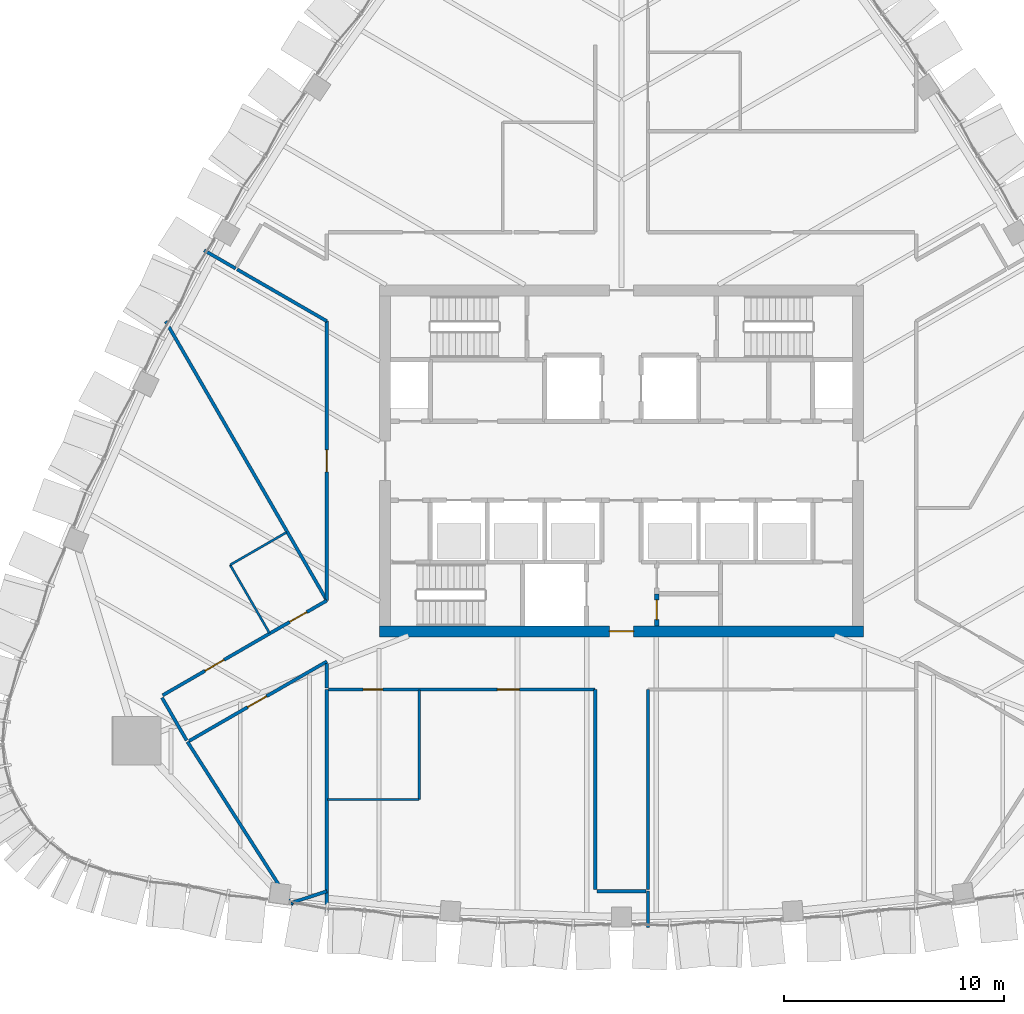
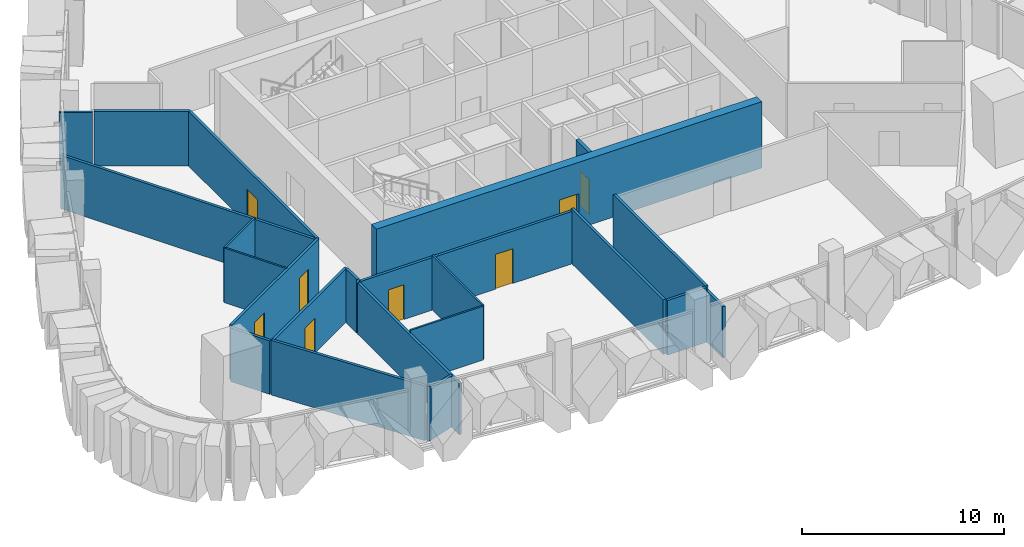
# One storey, part 12 of 20: 23 walls, 8 doors, 8 openings.
"""IFC4 building model written with IfcOpenShell, lengths in metres."""

from ifc_helpers import new_model, si_unit, direction, frame, frame_2d, origin, place, context, subcontext, project, spatial, rectangle, extrude, material, layer, layer_set, type_object, element, fill, save


model = new_model("IFC4")

# Units and contexts
model_context = context("Model", 3, precision=1e-05, world=origin(), true_north=direction((0.0, 1.0)))
body_context = subcontext(model_context, "Body", "Model", "MODEL_VIEW")
ifc_project = project(units=[si_unit("LENGTHUNIT", "METRE"), si_unit("AREAUNIT", "SQUARE_METRE"), si_unit("VOLUMEUNIT", "CUBIC_METRE"), si_unit("PLANEANGLEUNIT", "RADIAN"), si_unit("MASSUNIT", "GRAM", prefix="KILO")], contexts=[model_context])

# Site, building, storey
site_placement = place(None, origin())
site = spatial("IfcSite", under=ifc_project, at=site_placement, CompositionType="ELEMENT")
building_placement = place(site_placement, origin())
building = spatial("IfcBuilding", under=site, at=building_placement, Name="Sierra Prisma Convention Tower", CompositionType="ELEMENT")
storey_placement = place(building_placement, frame((0.0, 0.0, 239.0)))
storey = spatial("IfcBuildingStorey", under=building, at=storey_placement, Name="L53", CompositionType="ELEMENT", Elevation=239.0)

# Walls
ifc_material_1 = material(Name="Gypsum board partition", Category="gypsum")
ifc_layer_1 = layer(ifc_material_1, 0.10009765625)
ifc_layer_set_1 = layer_set([ifc_layer_1], Name="Bathroom partition 100")
wall_type_1 = type_object("IfcWallType", Name="Bathroom partition 100", PredefinedType="PARTITIONING", material=ifc_layer_set_1)
wall_1_placement = place(storey_placement, frame((-16.01318359375, -7.824951171875, 0.0), z_axis=(0.0, 0.0, 1.0), x_axis=(-0.499971082179, 0.866042098853, 0.0)))
element("IfcWall", 1, at=wall_1_placement, inside=storey, type_object=wall_type_1, Name="Partition L53 bath 1", PredefinedType="PARTITIONING", context=body_context, shape_type="SweptSolid", body=[
    extrude(rectangle(XDim=3.570068359375, YDim=0.10009765625, at=frame_2d((1.78515625, 0.0))), origin(), (0.0, 0.0, 1.0), 3.300048828125),
])
wall_2_placement = place(storey_placement, frame((-17.798095703125, -4.733154296875, 0.0), z_axis=(0.0, 0.0, 1.0), x_axis=(0.866039111053, 0.499976257563, 0.0)))
element("IfcWall", 2, at=wall_2_placement, inside=storey, type_object=wall_type_1, Name="Partition L53 bath 2", PredefinedType="PARTITIONING", context=body_context, shape_type="SweptSolid", body=[
    extrude(rectangle(XDim=2.969970703125, YDim=0.10009765625, at=frame_2d((1.48486328125, 0.0))), origin(), (0.0, 0.0, 1.0), 3.300048828125),
])
wall_3_placement = place(storey_placement, frame((-9.199951171875, -10.429931640625, 0.0), z_axis=(0.0, 0.0, 1.0), x_axis=(0.0, -1.0, 0.0)))
element("IfcWall", 3, at=wall_3_placement, inside=storey, type_object=wall_type_1, Name="Partition L53 bath 3", PredefinedType="PARTITIONING", context=body_context, shape_type="SweptSolid", body=[
    extrude(rectangle(XDim=4.969970703125, YDim=0.10009765625, at=frame_2d((2.48486328125, 0.0))), origin(), (0.0, 0.0, 1.0), 3.300048828125),
])
wall_4_placement = place(storey_placement, frame((-9.199951171875, -15.39990234375, 0.0), z_axis=(0.0, 0.0, 1.0), x_axis=(-1.0, 0.0, 0.0)))
element("IfcWall", 4, at=wall_4_placement, inside=storey, type_object=wall_type_1, Name="Partition L53 bath 4", PredefinedType="PARTITIONING", context=body_context, shape_type="SweptSolid", body=[
    extrude(rectangle(XDim=4.170166015625, YDim=0.10009765625, at=frame_2d((2.0849609375, 0.0))), origin(), (0.0, 0.0, 1.0), 3.242919921875),
])

# Wall, opening, door
ifc_material_2 = material(Name="Concrete C30/37", Category="concrete")
ifc_layer_2 = layer(ifc_material_2, 0.199951171875)
ifc_layer_set_2 = layer_set([ifc_layer_2], Name="Core wall RC 200 C30/37")
wall_type_2 = type_object("IfcWallType", Name="Core wall RC 200 C30/37", PredefinedType="SOLIDWALL", material=ifc_layer_set_2)
wall_5_placement = place(storey_placement, frame((1.60009765625, -6.050048828125, 0.0), z_axis=(0.0, 0.0, 1.0), x_axis=(0.0, -1.0, 0.0)))
wall_5 = element("IfcWall", 5, at=wall_5_placement, inside=storey, type_object=wall_type_2, Name="Core wall L53 38", PredefinedType="SOLIDWALL", context=body_context, shape_type="SweptSolid", body=[
    extrude(rectangle(XDim=1.449951171875, YDim=0.199951171875, at=frame_2d((0.72509765625, 0.0))), origin(), (0.0, 0.0, 1.0), 3.85009765625),
])
opening_1_placement = place(wall_5_placement, frame((0.27490234375, 0.0, 0.0)))
opening_1 = element("IfcOpeningElement", 6, at=opening_1_placement, cuts=wall_5, Name="Opening L53-D023", PredefinedType="OPENING", context=body_context, shape_type="SweptSolid", body=[
    extrude(rectangle(XDim=0.89990234375, YDim=2.10009765625, at=frame_2d((0.449951171875, 1.050048828125))), frame((0.0, 0.10009765625, 0.0), z_axis=(0.0, -1.0, 0.0), x_axis=(1.0, 0.0, 0.0)), (0.0, 0.0, 1.0), 0.199951171875),
])
ifc_material_3 = material(Name="Steel fire door leaf", Category="steel")
door_type_1 = type_object("IfcDoorType", Name="Door 900x2100 FD30S", OperationType="SINGLE_SWING_LEFT", PredefinedType="DOOR", material=ifc_material_3)
door_1_placement = place(opening_1_placement, origin())
door_1 = element("IfcDoor", 7, at=door_1_placement, inside=storey, type_object=door_type_1, Name="Door L53 39", OperationType="SINGLE_SWING_RIGHT", OverallHeight=2.10009765625, OverallWidth=0.89990234375, PredefinedType="DOOR", context=body_context, shape_type="SweptSolid", body=[
    extrude(rectangle(XDim=0.89990234375, YDim=2.10009765625, at=frame_2d((0.449951171875, 1.050048828125))), frame((0.0, 0.02490234375, 0.0), z_axis=(0.0, -1.0, 0.0), x_axis=(1.0, 0.0, 0.0)), (0.0, 0.0, 1.0), 0.050048828125),
])
fill(opening_1, door_1)

ifc_material_4 = material(Name="Concrete C50/60", Category="concrete")
ifc_layer_3 = layer(ifc_material_4, 0.5)
ifc_layer_set_3 = layer_set([ifc_layer_3], Name="Core wall RC 500 C50/60")
wall_type_3 = type_object("IfcWallType", Name="Core wall RC 500 C50/60", PredefinedType="SHEAR", material=ifc_layer_set_3)
wall_6_placement = place(storey_placement, frame((-11.0, -7.75, 0.0), z_axis=(0.0, 0.0, 1.0), x_axis=(1.0, 0.0, 0.0)))
wall_6 = element("IfcWall", 8, at=wall_6_placement, inside=storey, type_object=wall_type_3, Name="Core wall S L53", PredefinedType="SHEAR", context=body_context, shape_type="SweptSolid", body=[
    extrude(rectangle(XDim=22.0, YDim=0.5, at=frame_2d((11.0, 0.0))), origin(), (0.0, 0.0, 1.0), 4.0),
])
opening_2_placement = place(wall_6_placement, frame((10.449951171875, 0.0, 0.0)))
opening_2 = element("IfcOpeningElement", 9, at=opening_2_placement, cuts=wall_6, Name="Opening L53-D043", PredefinedType="OPENING", context=body_context, shape_type="SweptSolid", body=[
    extrude(rectangle(XDim=1.10009765625, YDim=2.10009765625, at=frame_2d((0.550048828125, 1.050048828125))), frame((0.0, 0.25, 0.0), z_axis=(0.0, -1.0, 0.0), x_axis=(1.0, 0.0, 0.0)), (0.0, 0.0, 1.0), 0.5),
])
ifc_material_5 = material(Name="Steel fire door leaf", Category="steel")
door_type_2 = type_object("IfcDoorType", Name="Door 1100x2100 FD30S", OperationType="SINGLE_SWING_LEFT", PredefinedType="DOOR", material=ifc_material_5)
door_2_placement = place(opening_2_placement, origin())
door_2 = element("IfcDoor", 10, at=door_2_placement, inside=storey, type_object=door_type_2, Name="Door L53 44", OperationType="SINGLE_SWING_LEFT", OverallHeight=2.10009765625, OverallWidth=1.10009765625, PredefinedType="DOOR", context=body_context, shape_type="SweptSolid", body=[
    extrude(rectangle(XDim=1.10009765625, YDim=2.10009765625, at=frame_2d((0.550048828125, 1.050048828125))), frame((0.0, 0.02490234375, 0.0), z_axis=(0.0, -1.0, 0.0), x_axis=(1.0, 0.0, 0.0)), (0.0, 0.0, 1.0), 0.050048828125),
])
fill(opening_2, door_2)

# Wall
ifc_material_6 = material(Name="Gypsum board partition", Category="gypsum")
ifc_layer_4 = layer(ifc_material_6, 0.14990234375)
ifc_layer_set_4 = layer_set([ifc_layer_4], Name="Corridor wall 150 gypsum EI 60")
wall_type_4 = type_object("IfcWallType", Name="Corridor wall 150 gypsum EI 60", PredefinedType="PARTITIONING", material=ifc_layer_set_4)
wall_7_placement = place(storey_placement, frame((-20.897216796875, -10.771728515625, 0.0), z_axis=(0.0, 0.0, 1.0), x_axis=(0.500030632641, -0.866007717299, 0.0)))
element("IfcWall", 11, at=wall_7_placement, inside=storey, type_object=wall_type_4, Name="Partition L53 corr 1", PredefinedType="PARTITIONING", context=body_context, shape_type="SweptSolid", body=[
    extrude(rectangle(XDim=2.239990234375, YDim=0.14990234375, at=frame_2d((1.1201171875, 0.0))), origin(), (0.0, 0.0, 1.0), 3.23291015625),
])

# Wall, openings, doors
wall_8_placement = place(storey_placement, frame((-13.39990234375, -6.350830078125, 0.0), z_axis=(0.0, 0.0, 1.0), x_axis=(-0.866032359495, -0.499987952162, 0.0)))
wall_8 = element("IfcWall", 12, at=wall_8_placement, inside=storey, type_object=wall_type_4, Name="Partition L53 corr 2", PredefinedType="PARTITIONING", context=body_context, shape_type="SweptSolid", body=[
    extrude(rectangle(XDim=8.623291015625, YDim=0.14990234375, at=frame_2d((4.3115234375, 0.0))), origin(), (0.0, 0.0, 1.0), 3.300048828125),
])
opening_3_placement = place(wall_8_placement, frame((1.050048828125, 0.0, 0.0)))
opening_3 = element("IfcOpeningElement", 13, at=opening_3_placement, cuts=wall_8, Name="Opening L53-D032", PredefinedType="OPENING", context=body_context, shape_type="SweptSolid", body=[
    extrude(rectangle(XDim=0.89990234375, YDim=2.10009765625, at=frame_2d((0.449951171875, 1.050048828125))), frame((0.0, 0.074951171875, 0.0), z_axis=(0.0, -1.0, 0.0), x_axis=(1.0, 0.0, 0.0)), (0.0, 0.0, 1.0), 0.14990234375),
])
opening_4_placement = place(wall_8_placement, frame((5.401611328125, 0.0, 0.0)))
opening_4 = element("IfcOpeningElement", 14, at=opening_4_placement, cuts=wall_8, Name="Opening L53-D033", PredefinedType="OPENING", context=body_context, shape_type="SweptSolid", body=[
    extrude(rectangle(XDim=1.0, YDim=2.10009765625, at=frame_2d((0.5, 1.050048828125))), frame((0.0, 0.074951171875, 0.0), z_axis=(0.0, -1.0, 0.0), x_axis=(1.0, 0.0, 0.0)), (0.0, 0.0, 1.0), 0.14990234375),
])
ifc_material_7 = material(Name="Steel fire door leaf", Category="steel")
door_type_3 = type_object("IfcDoorType", Name="Door 1000x2100 FD30S", OperationType="SINGLE_SWING_LEFT", PredefinedType="DOOR", material=ifc_material_7)
door_3_placement = place(opening_4_placement, origin())
door_3 = element("IfcDoor", 15, at=door_3_placement, inside=storey, type_object=door_type_3, Name="Door L53 9", OperationType="SINGLE_SWING_LEFT", OverallHeight=2.10009765625, OverallWidth=1.0, PredefinedType="DOOR", context=body_context, shape_type="SweptSolid", body=[
    extrude(rectangle(XDim=1.0, YDim=2.10009765625, at=frame_2d((0.5, 1.050048828125))), frame((0.0, 0.02490234375, 0.0), z_axis=(0.0, -1.0, 0.0), x_axis=(1.0, 0.0, 0.0)), (0.0, 0.0, 1.0), 0.050048828125),
])
fill(opening_4, door_3)
door_4_placement = place(opening_3_placement, origin())
door_4 = element("IfcDoor", 16, at=door_4_placement, inside=storey, type_object=door_type_1, Name="Door L53 8", OperationType="SINGLE_SWING_LEFT", OverallHeight=2.10009765625, OverallWidth=0.89990234375, PredefinedType="DOOR", context=body_context, shape_type="SweptSolid", body=[
    extrude(rectangle(XDim=0.89990234375, YDim=2.10009765625, at=frame_2d((0.449951171875, 1.050048828125))), frame((0.0, 0.02490234375, 0.0), z_axis=(0.0, -1.0, 0.0), x_axis=(1.0, 0.0, 0.0)), (0.0, 0.0, 1.0), 0.050048828125),
])
fill(opening_3, door_4)

# Wall, opening, door
wall_9_placement = place(storey_placement, frame((-19.66796875, -12.740966796875, 0.0), z_axis=(0.0, 0.0, 1.0), x_axis=(0.866023808947, 0.500002762329, 0.0)))
wall_9 = element("IfcWall", 17, at=wall_9_placement, inside=storey, type_object=wall_type_4, Name="Partition L53 corr 3", PredefinedType="PARTITIONING", context=body_context, shape_type="SweptSolid", body=[
    extrude(rectangle(XDim=7.23779296875, YDim=0.14990234375, at=frame_2d((3.618896484375, 0.0))), origin(), (0.0, 0.0, 1.0), 3.23291015625),
])
opening_5_placement = place(wall_9_placement, frame((3.078857421875, 0.0, 0.0)))
opening_5 = element("IfcOpeningElement", 18, at=opening_5_placement, cuts=wall_9, Name="Opening L53-D034", PredefinedType="OPENING", context=body_context, shape_type="SweptSolid", body=[
    extrude(rectangle(XDim=1.0, YDim=2.10009765625, at=frame_2d((0.5, 1.050048828125))), frame((0.0, 0.074951171875, 0.0), z_axis=(0.0, -1.0, 0.0), x_axis=(1.0, 0.0, 0.0)), (0.0, 0.0, 1.0), 0.14990234375),
])
door_5_placement = place(opening_5_placement, origin())
door_5 = element("IfcDoor", 19, at=door_5_placement, inside=storey, type_object=door_type_3, Name="Door L53 10", OperationType="SINGLE_SWING_LEFT", OverallHeight=2.10009765625, OverallWidth=1.0, PredefinedType="DOOR", context=body_context, shape_type="SweptSolid", body=[
    extrude(rectangle(XDim=1.0, YDim=2.10009765625, at=frame_2d((0.5, 1.050048828125))), frame((0.0, 0.02490234375, 0.0), z_axis=(0.0, -1.0, 0.0), x_axis=(1.0, 0.0, 0.0)), (0.0, 0.0, 1.0), 0.050048828125),
])
fill(opening_5, door_5)

# Walls
wall_10_placement = place(storey_placement, frame((-13.39990234375, -9.213623046875, 0.0), z_axis=(0.0, 0.0, 1.0), x_axis=(0.0, -1.0, 0.0)))
element("IfcWall", 20, at=wall_10_placement, inside=storey, type_object=wall_type_4, Name="Partition L53 corr 4", PredefinedType="PARTITIONING", context=body_context, shape_type="SweptSolid", body=[
    extrude(rectangle(XDim=1.1064453125, YDim=0.14990234375, at=frame_2d((0.55322265625, 0.0))), origin(), (0.0, 0.0, 1.0), 3.23291015625),
])
wall_11_placement = place(storey_placement, frame((-17.47998046875, 8.70654296875, 0.0), z_axis=(0.0, 0.0, 1.0), x_axis=(0.866018171646, -0.500012526222, 0.0)))
element("IfcWall", 21, at=wall_11_placement, inside=storey, type_object=wall_type_4, Name="Partition L53 corr 6", PredefinedType="PARTITIONING", context=body_context, shape_type="SweptSolid", body=[
    extrude(rectangle(XDim=4.71142578125, YDim=0.14990234375, at=frame_2d((2.355712890625, 0.0))), origin(), (0.0, 0.0, 1.0), 3.300048828125),
])

# Wall, opening, door
wall_12_placement = place(storey_placement, frame((-13.39990234375, 6.350830078125, 0.0), z_axis=(0.0, 0.0, 1.0), x_axis=(0.0, -1.0, 0.0)))
wall_12 = element("IfcWall", 22, at=wall_12_placement, inside=storey, type_object=wall_type_4, Name="Partition L53 corr 7", PredefinedType="PARTITIONING", context=body_context, shape_type="SweptSolid", body=[
    extrude(rectangle(XDim=12.70166015625, YDim=0.14990234375, at=frame_2d((6.350830078125, 0.0))), origin(), (0.0, 0.0, 1.0), 3.300048828125),
])
opening_6_placement = place(wall_12_placement, frame((5.850830078125, 0.0, 0.0)))
opening_6 = element("IfcOpeningElement", 23, at=opening_6_placement, cuts=wall_12, Name="Opening L53-D031", PredefinedType="OPENING", context=body_context, shape_type="SweptSolid", body=[
    extrude(rectangle(XDim=1.0, YDim=2.10009765625, at=frame_2d((0.5, 1.050048828125))), frame((0.0, 0.074951171875, 0.0), z_axis=(0.0, -1.0, 0.0), x_axis=(1.0, 0.0, 0.0)), (0.0, 0.0, 1.0), 0.14990234375),
])
door_6_placement = place(opening_6_placement, origin())
door_6 = element("IfcDoor", 24, at=door_6_placement, inside=storey, type_object=door_type_3, Name="Door L53 7", OperationType="SINGLE_SWING_LEFT", OverallHeight=2.10009765625, OverallWidth=1.0, PredefinedType="DOOR", context=body_context, shape_type="SweptSolid", body=[
    extrude(rectangle(XDim=1.0, YDim=2.10009765625, at=frame_2d((0.5, 1.050048828125))), frame((0.0, 0.02490234375, 0.0), z_axis=(0.0, -1.0, 0.0), x_axis=(1.0, 0.0, 0.0)), (0.0, 0.0, 1.0), 0.050048828125),
])
fill(opening_6, door_6)

# Wall, openings, doors
wall_13_placement = place(storey_placement, frame((-13.320068359375, -10.39990234375, 0.0), z_axis=(0.0, 0.0, 1.0), x_axis=(1.0, 0.0, 0.0)))
wall_13 = element("IfcWall", 25, at=wall_13_placement, inside=storey, type_object=wall_type_4, Name="Partition L53 corr 10", PredefinedType="PARTITIONING", context=body_context, shape_type="SweptSolid", body=[
    extrude(rectangle(XDim=12.1201171875, YDim=0.14990234375, at=frame_2d((6.06005859375, 0.0))), origin(), (0.0, 0.0, 1.0), 3.1669921875),
])
opening_7_placement = place(wall_13_placement, frame((1.570068359375, 0.0, 0.0)))
opening_7 = element("IfcOpeningElement", 26, at=opening_7_placement, cuts=wall_13, Name="Opening L53-D035", PredefinedType="OPENING", context=body_context, shape_type="SweptSolid", body=[
    extrude(rectangle(XDim=0.89990234375, YDim=2.10009765625, at=frame_2d((0.449951171875, 1.050048828125))), frame((0.0, 0.074951171875, 0.0), z_axis=(0.0, -1.0, 0.0), x_axis=(1.0, 0.0, 0.0)), (0.0, 0.0, 1.0), 0.14990234375),
])
opening_8_placement = place(wall_13_placement, frame((7.669921875, 0.0, 0.0)))
opening_8 = element("IfcOpeningElement", 27, at=opening_8_placement, cuts=wall_13, Name="Opening L53-D036", PredefinedType="OPENING", context=body_context, shape_type="SweptSolid", body=[
    extrude(rectangle(XDim=1.0, YDim=2.10009765625, at=frame_2d((0.5, 1.050048828125))), frame((0.0, 0.074951171875, 0.0), z_axis=(0.0, -1.0, 0.0), x_axis=(1.0, 0.0, 0.0)), (0.0, 0.0, 1.0), 0.14990234375),
])
door_7_placement = place(opening_8_placement, origin())
door_7 = element("IfcDoor", 28, at=door_7_placement, inside=storey, type_object=door_type_3, Name="Door L53 12", OperationType="SINGLE_SWING_LEFT", OverallHeight=2.10009765625, OverallWidth=1.0, PredefinedType="DOOR", context=body_context, shape_type="SweptSolid", body=[
    extrude(rectangle(XDim=1.0, YDim=2.10009765625, at=frame_2d((0.5, 1.050048828125))), frame((0.0, 0.02490234375, 0.0), z_axis=(0.0, -1.0, 0.0), x_axis=(1.0, 0.0, 0.0)), (0.0, 0.0, 1.0), 0.050048828125),
])
fill(opening_8, door_7)
door_8_placement = place(opening_7_placement, origin())
door_8 = element("IfcDoor", 29, at=door_8_placement, inside=storey, type_object=door_type_1, Name="Door L53 11", OperationType="SINGLE_SWING_RIGHT", OverallHeight=2.10009765625, OverallWidth=0.89990234375, PredefinedType="DOOR", context=body_context, shape_type="SweptSolid", body=[
    extrude(rectangle(XDim=0.89990234375, YDim=2.10009765625, at=frame_2d((0.449951171875, 1.050048828125))), frame((0.0, 0.02490234375, 0.0), z_axis=(0.0, -1.0, 0.0), x_axis=(1.0, 0.0, 0.0)), (0.0, 0.0, 1.0), 0.050048828125),
])
fill(opening_7, door_8)

# Walls
wall_14_placement = place(storey_placement, frame((-1.199951171875, -10.39990234375, 0.0), z_axis=(0.0, 0.0, 1.0), x_axis=(0.0, -1.0, 0.0)))
element("IfcWall", 30, at=wall_14_placement, inside=storey, type_object=wall_type_4, Name="Partition L53 corr 11", PredefinedType="PARTITIONING", context=body_context, shape_type="SweptSolid", body=[
    extrude(rectangle(XDim=9.091552734375, YDim=0.14990234375, at=frame_2d((4.5458984375, 0.0))), origin(), (0.0, 0.0, 1.0), 3.300048828125),
])
wall_15_placement = place(storey_placement, frame((-1.1201171875, -19.5712890625, 0.0), z_axis=(0.0, 0.0, 1.0), x_axis=(1.0, 0.0, 0.0)))
element("IfcWall", 31, at=wall_15_placement, inside=storey, type_object=wall_type_4, Name="Partition L53 corr 15", PredefinedType="PARTITIONING", context=body_context, shape_type="SweptSolid", body=[
    extrude(rectangle(XDim=2.240234375, YDim=0.14990234375, at=frame_2d((1.1201171875, 0.0))), origin(), (0.0, 0.0, 1.0), 3.300048828125),
])
wall_16_placement = place(storey_placement, frame((1.199951171875, -19.491455078125, 0.0), z_axis=(0.0, 0.0, 1.0), x_axis=(0.0, 1.0, 0.0)))
element("IfcWall", 32, at=wall_16_placement, inside=storey, type_object=wall_type_4, Name="Partition L53 corr 17", PredefinedType="PARTITIONING", context=body_context, shape_type="SweptSolid", body=[
    extrude(rectangle(XDim=9.091552734375, YDim=0.14990234375, at=frame_2d((4.5458984375, 0.0))), origin(), (0.0, 0.0, 1.0), 3.300048828125),
])
ifc_material_8 = material(Name="Gypsum board partition", Category="gypsum")
ifc_layer_5 = layer(ifc_material_8, 0.14990234375)
ifc_layer_set_5 = layer_set([ifc_layer_5], Name="Party wall 150 gypsum")
wall_type_5 = type_object("IfcWallType", Name="Party wall 150 gypsum", PredefinedType="PARTITIONING", material=ifc_layer_set_5)
wall_17_placement = place(storey_placement, frame((-13.39990234375, -6.350830078125, 0.0), z_axis=(0.0, 0.0, 1.0), x_axis=(-0.500006471202, 0.866021667602, 0.0)))
element("IfcWall", 33, at=wall_17_placement, inside=storey, type_object=wall_type_5, Name="Partition L53 party 1", PredefinedType="PARTITIONING", context=body_context, shape_type="SweptSolid", body=[
    extrude(rectangle(XDim=14.658447265625, YDim=0.14990234375, at=frame_2d((7.3291015625, 0.0))), origin(), (0.0, 0.0, 1.0), 3.23388671875),
])
wall_18_placement = place(storey_placement, frame((-19.737060546875, -12.781005859375, 0.0), z_axis=(0.0, 0.0, 1.0), x_axis=(0.538422993962, -0.842674717535, 0.0)))
element("IfcWall", 34, at=wall_18_placement, inside=storey, type_object=wall_type_5, Name="Partition L53 party 2", PredefinedType="PARTITIONING", context=body_context, shape_type="SweptSolid", body=[
    extrude(rectangle(XDim=8.570068359375, YDim=0.14990234375, at=frame_2d((4.28515625, 0.0))), origin(), (0.0, 0.0, 1.0), 3.300048828125),
])
wall_19_placement = place(storey_placement, frame((-17.54931640625, 8.74658203125, 0.0), z_axis=(0.0, 0.0, 1.0), x_axis=(-0.866067297121, 0.499927431592, 0.0)))
element("IfcWall", 35, at=wall_19_placement, inside=storey, type_object=wall_type_5, Name="Partition L53 party 3", PredefinedType="PARTITIONING", context=body_context, shape_type="SweptSolid", body=[
    extrude(rectangle(XDim=1.649658203125, YDim=0.14990234375, at=frame_2d((0.82470703125, 0.0))), origin(), (0.0, 0.0, 1.0), 3.23388671875),
])
wall_20_placement = place(storey_placement, frame((-13.39990234375, -10.39990234375, 0.0), z_axis=(0.0, 0.0, 1.0), x_axis=(0.0, -1.0, 0.0)))
element("IfcWall", 36, at=wall_20_placement, inside=storey, type_object=wall_type_5, Name="Partition L53 party 4", PredefinedType="PARTITIONING", context=body_context, shape_type="SweptSolid", body=[
    extrude(rectangle(XDim=10.044677734375, YDim=0.14990234375, at=frame_2d((5.0224609375, 0.0))), origin(), (0.0, 0.0, 1.0), 3.083984375),
])
wall_21_placement = place(storey_placement, frame((-13.39990234375, -19.5712890625, 0.0), z_axis=(0.0, 0.0, 1.0), x_axis=(-0.949797873729, -0.312864186286, 0.0)))
element("IfcWall", 37, at=wall_21_placement, inside=storey, type_object=wall_type_5, Name="Partition L53 party 5", PredefinedType="PARTITIONING", context=body_context, shape_type="SweptSolid", body=[
    extrude(rectangle(XDim=1.65576171875, YDim=0.14990234375, at=frame_2d((0.827880859375, 0.0))), origin(), (0.0, 0.0, 1.0), 3.083984375),
])
wall_22_placement = place(storey_placement, frame((-15.022705078125, -20.176025390625, 0.0), z_axis=(0.0, 0.0, 1.0), x_axis=(0.492769953399, 0.870159625027, 0.0)))
element("IfcWall", 38, at=wall_22_placement, inside=storey, type_object=wall_type_5, Name="Partition L53 party 6", PredefinedType="PARTITIONING", context=body_context, shape_type="SweptSolid", body=[
    extrude(rectangle(XDim=0.1015625, YDim=0.14990234375, at=frame_2d((0.05078125, 0.0))), origin(), (0.0, 0.0, 1.0), 3.300048828125),
])
wall_23_placement = place(storey_placement, frame((1.199951171875, -19.5712890625, 0.0), z_axis=(0.0, 0.0, 1.0), x_axis=(0.0, -1.0, 0.0)))
element("IfcWall", 39, at=wall_23_placement, inside=storey, type_object=wall_type_5, Name="Partition L53 party 8", PredefinedType="PARTITIONING", context=body_context, shape_type="SweptSolid", body=[
    extrude(rectangle(XDim=1.64990234375, YDim=0.14990234375, at=frame_2d((0.824951171875, 0.0))), origin(), (0.0, 0.0, 1.0), 3.083984375),
])

save(model, "model.ifc")
